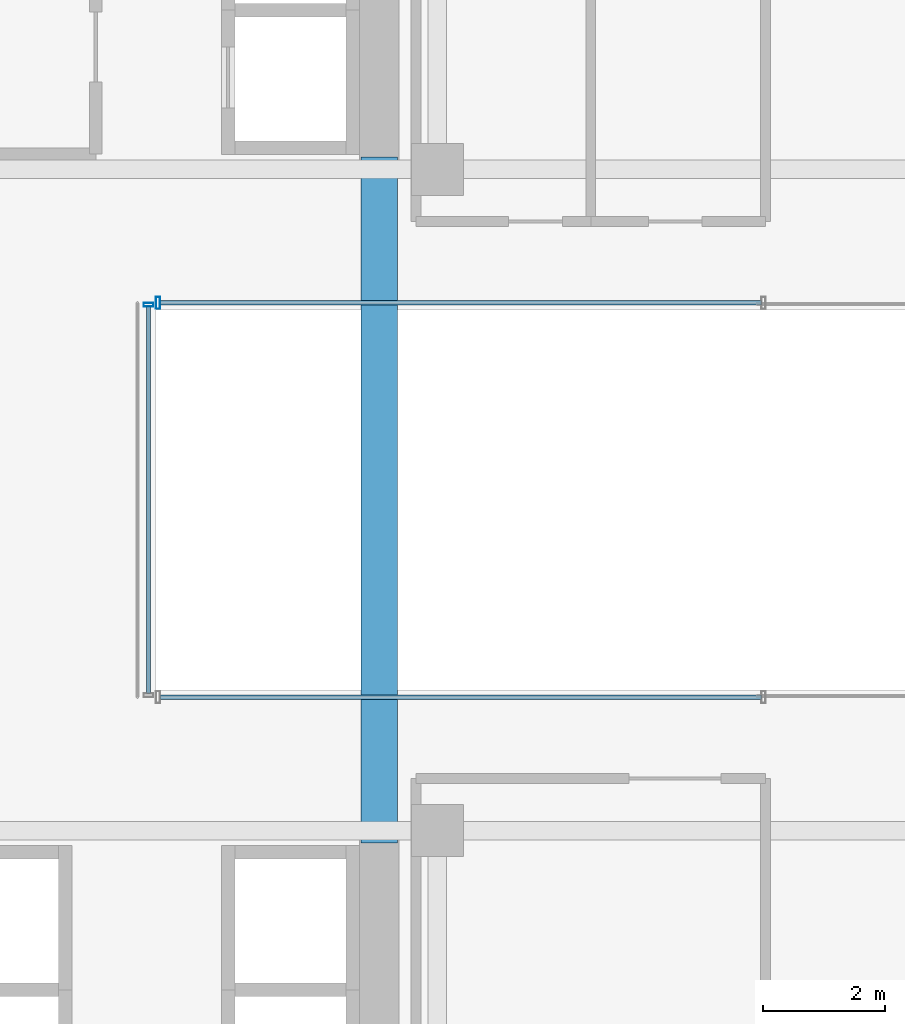
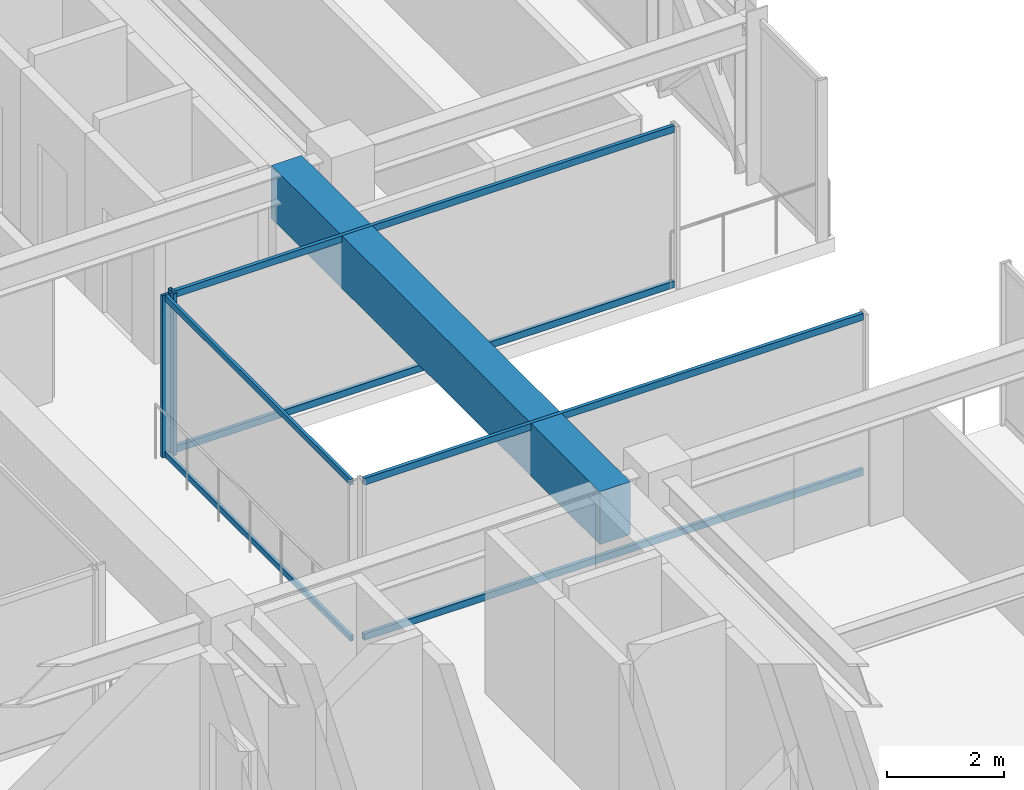
# One storey, part 18 of 38: 8 members, 1 beam, 3 elements without a shape of their own.
"""IFC4 building model written with IfcOpenShell, lengths in metres."""

from ifc_helpers import new_model, si_unit, direction, frame, origin, origin_2d, place, context, subcontext, project, spatial, rectangle, hollow_rectangle, extrude, source, transform, mapped, material, material_profile, profile_set, type_object, element, aggregate, save


model = new_model("IFC4")

# Units and contexts
model_context = context("Model", 3, precision=1e-05, world=origin(), true_north=direction((0.0, 1.0)))
body_context = subcontext(model_context, "Body", "Model", "MODEL_VIEW")
ifc_project = project(units=[si_unit("LENGTHUNIT", "METRE"), si_unit("AREAUNIT", "SQUARE_METRE"), si_unit("VOLUMEUNIT", "CUBIC_METRE"), si_unit("PLANEANGLEUNIT", "RADIAN"), si_unit("MASSUNIT", "GRAM", prefix="KILO")], contexts=[model_context])

# Site, building, storey
site_placement = place(None, origin())
site = spatial("IfcSite", under=ifc_project, at=site_placement, CompositionType="ELEMENT")
building_placement = place(site_placement, origin())
building = spatial("IfcBuilding", under=site, at=building_placement, Name="Nahalor Promenade Grand Hotel", CompositionType="ELEMENT")
storey_placement = place(building_placement, frame((0.0, 0.0, 50.64990234375)))
storey = spatial("IfcBuildingStorey", under=building, at=storey_placement, Name="L11", CompositionType="ELEMENT", Elevation=50.64990234375)

# Beam
ifc_material_1 = material(Name="Concrete B-60 (C50/60)", Category="concrete")
ifc_material_profile_1 = material_profile(ifc_material_1, rectangle(XDim=0.6, YDim=1.1, at=origin_2d()), Name="RC 600x1100")
ifc_profile_set_1 = profile_set([ifc_material_profile_1], Name="Concrete B-60 (C50/60)")
beam_type = type_object("IfcBeamType", Name="Beam-Lintel-RC1100", PredefinedType="LINTEL", material=ifc_profile_set_1)
shared_shape_1 = source(origin(), body_context, "Body", "SweptSolid", [
    extrude(rectangle(XDim=0.6, YDim=1.1, at=origin_2d()), origin(), (0.0, 0.0, 1.0), 11.2001953125),
])
beam_placement = place(storey_placement, frame((16.050048828125, -5.60009765625, 2.820068359375), z_axis=(0.0, 1.0, 0.0), x_axis=(-1.0, 0.0, 0.0)))
element("IfcBeam", 1, at=beam_placement, inside=storey, type_object=beam_type, Name="BM-L11-LINT-E", PredefinedType="LINTEL", context=body_context, shape_type="MappedRepresentation", body=[
    mapped(shared_shape_1, transform((0.0, 0.0, 0.0), scale=1.0)),
])

# Curtain wall, members
ifc_material_2 = material(Name="Anodised Bronze Aluminium EN AW-6063 T6", Category="aluminium")
curtain_wall_type_1 = type_object("IfcCurtainWallType", Name="CW3 Elliptical-Void Collar Unitised Curtain Wall", PredefinedType="USERDEFINED", material=ifc_material_2)
curtain_wall_1_placement = place(storey_placement, origin())
curtain_wall_1 = element("IfcCurtainWall", 2, at=curtain_wall_1_placement, inside=storey, type_object=curtain_wall_type_1, Name="L11 Curtain Wall CW-L11-VOID-ES1", ObjectType="UNITISED_CURTAIN_WALL", PredefinedType="USERDEFINED")
ifc_material_profile_2 = material_profile(ifc_material_2, hollow_rectangle(XDim=0.07, YDim=0.14, WallThickness=0.004, at=origin_2d()), Name="CWT 70x140x4")
ifc_profile_set_2 = profile_set([ifc_material_profile_2], Name="Anodised Bronze Aluminium EN AW-6063 T6")
member_type_1 = type_object("IfcMemberType", Name="CWT3 Void Collar Transom 70x140", PredefinedType="USERDEFINED", material=ifc_profile_set_2)
shared_shape_2 = source(origin(), body_context, "Body", "SweptSolid", [
    extrude(hollow_rectangle(XDim=0.07, YDim=0.14, WallThickness=0.004, at=origin_2d()), origin(), (0.0, 0.0, 1.0), 9.820068359375),
])
member_1_placement = place(storey_placement, frame((12.469970703125, -3.219970703125, 0.070068359375), z_axis=(1.0, 0.0, 0.0), x_axis=(0.0, 1.0, 0.0)))
member_1 = element("IfcMember", 3, at=member_1_placement, type_object=member_type_1, Name="CW-L11-VOID-ES1 Transom 0-0", ObjectType="TRANSOM", PredefinedType="USERDEFINED", context=body_context, shape_type="MappedRepresentation", body=[
    mapped(shared_shape_2, transform((0.0, 0.0, 0.0), scale=1.0)),
])
member_2_placement = place(storey_placement, frame((12.469970703125, -3.219970703125, 3.300048828125), z_axis=(1.0, 0.0, 0.0), x_axis=(0.0, 1.0, 0.0)))
member_2 = element("IfcMember", 4, at=member_2_placement, type_object=member_type_1, Name="CW-L11-VOID-ES1 Transom 0-1", ObjectType="TRANSOM", PredefinedType="USERDEFINED", context=body_context, shape_type="MappedRepresentation", body=[
    mapped(shared_shape_2, transform((0.0, 0.0, 0.0), scale=1.0)),
])
aggregate(curtain_wall_1, [member_1, member_2])

curtain_wall_2_placement = place(storey_placement, origin())
curtain_wall_2 = element("IfcCurtainWall", 5, at=curtain_wall_2_placement, inside=storey, type_object=curtain_wall_type_1, Name="L11 Curtain Wall CW-L11-VOID-EN1", ObjectType="UNITISED_CURTAIN_WALL", PredefinedType="USERDEFINED")
member_3_placement = place(storey_placement, frame((12.469970703125, 3.219970703125, 0.070068359375), z_axis=(1.0, 0.0, 0.0), x_axis=(0.0, 1.0, 0.0)))
member_3 = element("IfcMember", 6, at=member_3_placement, type_object=member_type_1, Name="CW-L11-VOID-EN1 Transom 0-0", ObjectType="TRANSOM", PredefinedType="USERDEFINED", context=body_context, shape_type="MappedRepresentation", body=[
    mapped(shared_shape_2, transform((0.0, 0.0, 0.0), scale=1.0)),
])
member_4_placement = place(storey_placement, frame((12.469970703125, 3.219970703125, 3.300048828125), z_axis=(1.0, 0.0, 0.0), x_axis=(0.0, 1.0, 0.0)))
member_4 = element("IfcMember", 7, at=member_4_placement, type_object=member_type_1, Name="CW-L11-VOID-EN1 Transom 0-1", ObjectType="TRANSOM", PredefinedType="USERDEFINED", context=body_context, shape_type="MappedRepresentation", body=[
    mapped(shared_shape_2, transform((0.0, 0.0, 0.0), scale=1.0)),
])
ifc_material_profile_3 = material_profile(ifc_material_2, hollow_rectangle(XDim=0.07, YDim=0.2, WallThickness=0.005, at=origin_2d()), Name="CWM 70x200x5")
ifc_profile_set_3 = profile_set([ifc_material_profile_3], Name="Anodised Bronze Aluminium EN AW-6063 T6")
member_type_2 = type_object("IfcMemberType", Name="CWM3 Void Collar Mullion 70x200", PredefinedType="MULLION", material=ifc_profile_set_3)
shared_shape_3 = source(origin(), body_context, "Body", "SweptSolid", [
    extrude(hollow_rectangle(XDim=0.07, YDim=0.2, WallThickness=0.005, at=origin_2d()), origin(), (0.0, 0.0, 1.0), 3.3701171875),
])
member_5_placement = place(storey_placement, frame((12.43505859375, 3.219970703125, 0.0), z_axis=(0.0, 0.0, 1.0), x_axis=(1.0, 0.0, 0.0)))
member_5 = element("IfcMember", 8, at=member_5_placement, type_object=member_type_2, Name="CW-L11-VOID-EN1 Mullion 0", PredefinedType="MULLION", context=body_context, shape_type="MappedRepresentation", body=[
    mapped(shared_shape_3, transform((0.0, 0.0, 0.0), scale=1.0)),
])
aggregate(curtain_wall_2, [member_5, member_3, member_4])

curtain_wall_type_2 = type_object("IfcCurtainWallType", Name="CW4 Low-Iron Sky-Gallery Bridge Curtain Wall", PredefinedType="USERDEFINED", material=ifc_material_2)
curtain_wall_3_placement = place(storey_placement, origin())
curtain_wall_3 = element("IfcCurtainWall", 9, at=curtain_wall_3_placement, inside=storey, type_object=curtain_wall_type_2, Name="L11 Curtain Wall CW-L11-BRG-E", ObjectType="UNITISED_CURTAIN_WALL", PredefinedType="USERDEFINED")
ifc_material_profile_4 = material_profile(ifc_material_2, hollow_rectangle(XDim=0.06, YDim=0.16, WallThickness=0.004, at=origin_2d()), Name="CWM 60x160x4")
ifc_profile_set_4 = profile_set([ifc_material_profile_4], Name="Anodised Bronze Aluminium EN AW-6063 T6")
member_type_3 = type_object("IfcMemberType", Name="CWM4 Sky-Gallery Slim Mullion 60x160", PredefinedType="MULLION", material=ifc_profile_set_4)
shared_shape_4 = source(origin(), body_context, "Body", "SweptSolid", [
    extrude(hollow_rectangle(XDim=0.06, YDim=0.16, WallThickness=0.004, at=origin_2d()), origin(), (0.0, 0.0, 1.0), 3.3701171875),
])
member_6_placement = place(storey_placement, frame((12.280029296875, 3.18994140625, 0.0), z_axis=(0.0, 0.0, 1.0), x_axis=(0.0, 1.0, 0.0)))
member_6 = element("IfcMember", 10, at=member_6_placement, type_object=member_type_3, Name="CW-L11-BRG-E Mullion 1", PredefinedType="MULLION", context=body_context, shape_type="MappedRepresentation", body=[
    mapped(shared_shape_4, transform((0.0, 0.0, 0.0), scale=1.0)),
])
ifc_material_profile_5 = material_profile(ifc_material_2, hollow_rectangle(XDim=0.06, YDim=0.12, WallThickness=0.004, at=origin_2d()), Name="CWT 60x120x4")
ifc_profile_set_5 = profile_set([ifc_material_profile_5], Name="Anodised Bronze Aluminium EN AW-6063 T6")
member_type_4 = type_object("IfcMemberType", Name="CWT4 Sky-Gallery Slim Transom 60x120", PredefinedType="USERDEFINED", material=ifc_profile_set_5)
shared_shape_5 = source(origin(), body_context, "Body", "SweptSolid", [
    extrude(hollow_rectangle(XDim=0.06, YDim=0.12, WallThickness=0.004, at=origin_2d()), origin(), (0.0, 0.0, 1.0), 6.31982421875),
])
member_7_placement = place(storey_placement, frame((12.280029296875, -3.159912109375, 0.06005859375), z_axis=(0.0, 1.0, 0.0), x_axis=(-1.0, 0.0, 0.0)))
member_7 = element("IfcMember", 11, at=member_7_placement, type_object=member_type_4, Name="CW-L11-BRG-E Transom 0-0", ObjectType="TRANSOM", PredefinedType="USERDEFINED", context=body_context, shape_type="MappedRepresentation", body=[
    mapped(shared_shape_5, transform((0.0, 0.0, 0.0), scale=1.0)),
])
member_8_placement = place(storey_placement, frame((12.280029296875, -3.159912109375, 3.31005859375), z_axis=(0.0, 1.0, 0.0), x_axis=(-1.0, 0.0, 0.0)))
member_8 = element("IfcMember", 12, at=member_8_placement, type_object=member_type_4, Name="CW-L11-BRG-E Transom 0-1", ObjectType="TRANSOM", PredefinedType="USERDEFINED", context=body_context, shape_type="MappedRepresentation", body=[
    mapped(shared_shape_5, transform((0.0, 0.0, 0.0), scale=1.0)),
])
aggregate(curtain_wall_3, [member_6, member_7, member_8])

save(model, "model.ifc")
